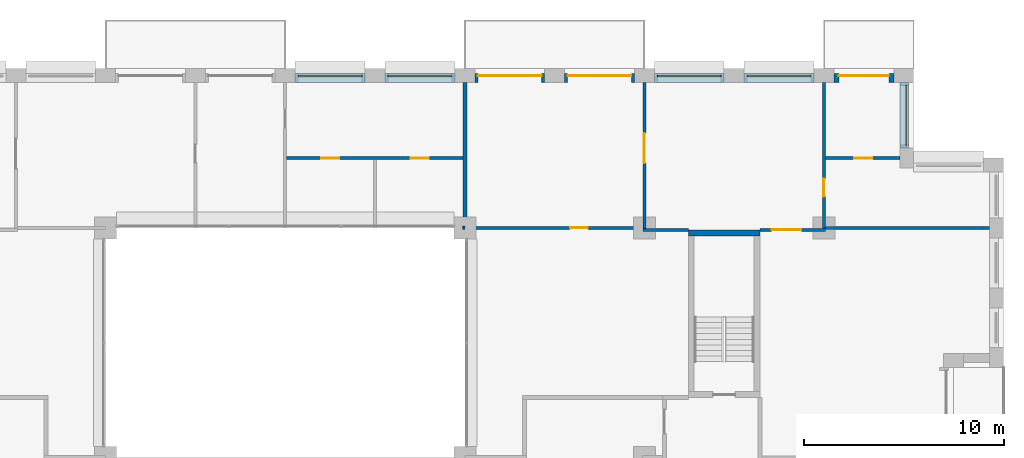
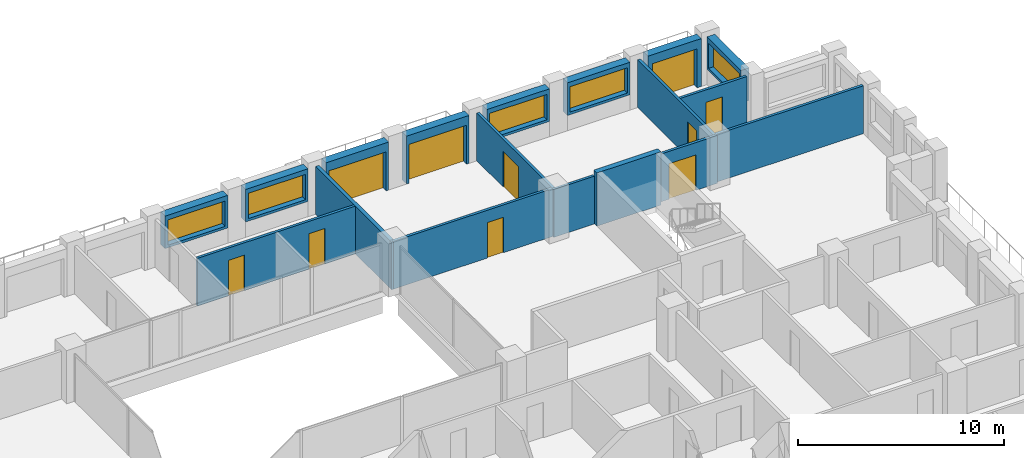
# One storey, part 13 of 15: 19 walls, 10 doors, 5 windows, 15 openings.
"""IFC4 building model written with IfcOpenShell, lengths in metres."""

from ifc_helpers import new_model, si_unit, direction, frame, frame_2d, origin, place, context, subcontext, project, spatial, rectangle, extrude, material, layer, layer_set, type_object, element, fill, save


model = new_model("IFC4")

# Units and contexts
model_context = context("Model", 3, precision=1e-05, world=origin(), true_north=direction((0.0, 1.0)))
body_context = subcontext(model_context, "Body", "Model", "MODEL_VIEW")
ifc_project = project(units=[si_unit("LENGTHUNIT", "METRE"), si_unit("AREAUNIT", "SQUARE_METRE"), si_unit("VOLUMEUNIT", "CUBIC_METRE"), si_unit("PLANEANGLEUNIT", "RADIAN"), si_unit("MASSUNIT", "GRAM", prefix="KILO")], contexts=[model_context])

# Site, building, storey
site_placement = place(None, origin())
site = spatial("IfcSite", under=ifc_project, at=site_placement, CompositionType="ELEMENT")
building_placement = place(site_placement, origin())
building = spatial("IfcBuilding", under=site, at=building_placement, Name="Brigalow Station Residences", CompositionType="ELEMENT")
storey_placement = place(building_placement, frame((0.0, 0.0, 172.800048828125)))
storey = spatial("IfcBuildingStorey", under=building, at=storey_placement, Name="L50", CompositionType="ELEMENT", Elevation=172.800048828125)

# Wall, opening, window
ifc_material_1 = material(Name="Clay brick masonry", Category="masonry")
ifc_layer_1 = layer(ifc_material_1, 0.449951171875)
ifc_layer_set_1 = layer_set([ifc_layer_1], Name="BRICK INFILL WALL 450")
wall_type_1 = type_object("IfcWallType", Name="BRICK INFILL WALL 450", PredefinedType="SOLIDWALL", material=ifc_layer_set_1)
wall_1_placement = place(storey_placement, frame((67.02490234375, 39.5, 0.89990234375), z_axis=(0.0, 0.0, 1.0), x_axis=(0.0, 1.0, 0.0)))
wall_1 = element("IfcWall", 1, at=wall_1_placement, inside=storey, type_object=wall_type_1, Name="L50/ewall/W-L50-21", PredefinedType="SOLIDWALL", context=body_context, shape_type="SweptSolid", body=[
    extrude(rectangle(XDim=3.300048828125, YDim=0.449951171875, at=frame_2d((1.64990234375, 0.0))), origin(), (0.0, 0.0, 1.0), 1.929931640625),
])
opening_1_placement = place(wall_1_placement, frame((0.14990234375, 0.0, 0.14990234375)))
opening_1 = element("IfcOpeningElement", 2, at=opening_1_placement, cuts=wall_1, Name="Opening WT-2", PredefinedType="OPENING", context=body_context, shape_type="SweptSolid", body=[
    extrude(rectangle(XDim=3.0, YDim=1.5, at=frame_2d((1.5, 0.75))), frame((0.0, 0.23486328125, 0.0), z_axis=(0.0, -1.0, 0.0), x_axis=(1.0, 0.0, 0.0)), (0.0, 0.0, 1.0), 0.469970703125),
])
ifc_material_2 = material(Name="Anodised aluminium frame with double glazing", Category="aluminium")
window_type_1 = type_object("IfcWindowType", Name="WINDOW 3000x1500", PartitioningType="SINGLE_PANEL", PredefinedType="WINDOW", material=ifc_material_2)
window_1_placement = place(opening_1_placement, origin())
window_1 = element("IfcWindow", 3, at=window_1_placement, inside=storey, type_object=window_type_1, Name="L50/window/W-L50-21", OverallHeight=1.5, OverallWidth=3.0, PartitioningType="SINGLE_PANEL", PredefinedType="WINDOW", context=body_context, shape_type="SweptSolid", body=[
    extrude(rectangle(XDim=3.0, YDim=1.5, at=frame_2d((1.5, 0.75))), frame((0.0, -0.06494140625, 0.0), z_axis=(0.0, -1.0, 0.0), x_axis=(1.0, 0.0, 0.0)), (0.0, 0.0, 1.0), 0.06005859375),
])
fill(opening_1, window_1)

# Wall, opening, door
wall_2_placement = place(storey_placement, frame((66.5, 43.02490234375, 0.0), z_axis=(0.0, 0.0, 1.0), x_axis=(-1.0, 0.0, 0.0)))
wall_2 = element("IfcWall", 4, at=wall_2_placement, inside=storey, type_object=wall_type_1, Name="L50/ewall/W-L50-22", PredefinedType="SOLIDWALL", context=body_context, shape_type="SweptSolid", body=[
    extrude(rectangle(XDim=3.0, YDim=0.449951171875, at=frame_2d((1.5, 0.0))), origin(), (0.0, 0.0, 1.0), 2.829833984375),
])
opening_2_placement = place(wall_2_placement, frame((0.25, 0.0, 0.0)))
opening_2 = element("IfcOpeningElement", 5, at=opening_2_placement, cuts=wall_2, Name="Opening D-B2500", PredefinedType="OPENING", context=body_context, shape_type="SweptSolid", body=[
    extrude(rectangle(XDim=2.5, YDim=2.300048828125, at=frame_2d((1.25, 1.14990234375))), frame((0.0, 0.23486328125, 0.0), z_axis=(0.0, -1.0, 0.0), x_axis=(1.0, 0.0, 0.0)), (0.0, 0.0, 1.0), 0.469970703125),
])
ifc_material_3 = material(Name="Anodised aluminium frame with double glazing", Category="aluminium")
door_type_1 = type_object("IfcDoorType", Name="BALCONY SLIDING DOOR 2500x2300", OperationType="SLIDING_TO_LEFT", PredefinedType="DOOR", material=ifc_material_3)
door_1_placement = place(opening_2_placement, origin())
door_1 = element("IfcDoor", 6, at=door_1_placement, inside=storey, type_object=door_type_1, Name="L50/balcony-door/W-L50-22", OperationType="SLIDING_TO_LEFT", OverallHeight=2.300048828125, OverallWidth=2.5, PredefinedType="DOOR", context=body_context, shape_type="SweptSolid", body=[
    extrude(rectangle(XDim=2.5, YDim=2.300048828125, at=frame_2d((1.25, 1.14990234375))), frame((0.0, -0.06982421875, 0.0), z_axis=(0.0, -1.0, 0.0), x_axis=(1.0, 0.0, 0.0)), (0.0, 0.0, 1.0), 0.050048828125),
])
fill(opening_2, door_1)

# Wall, opening, window
wall_3_placement = place(storey_placement, frame((62.5, 43.02490234375, 0.89990234375), z_axis=(0.0, 0.0, 1.0), x_axis=(-1.0, 0.0, 0.0)))
wall_3 = element("IfcWall", 7, at=wall_3_placement, inside=storey, type_object=wall_type_1, Name="L50/ewall/W-L50-23", PredefinedType="SOLIDWALL", context=body_context, shape_type="SweptSolid", body=[
    extrude(rectangle(XDim=3.5, YDim=0.449951171875, at=frame_2d((1.75, 0.0))), origin(), (0.0, 0.0, 1.0), 1.929931640625),
])
opening_3_placement = place(wall_3_placement, frame((0.14990234375, 0.0, 0.14990234375)))
opening_3 = element("IfcOpeningElement", 8, at=opening_3_placement, cuts=wall_3, Name="Opening WT-9", PredefinedType="OPENING", context=body_context, shape_type="SweptSolid", body=[
    extrude(rectangle(XDim=3.199951171875, YDim=1.5, at=frame_2d((1.60009765625, 0.75))), frame((0.0, 0.23486328125, 0.0), z_axis=(0.0, -1.0, 0.0), x_axis=(1.0, 0.0, 0.0)), (0.0, 0.0, 1.0), 0.469970703125),
])
ifc_material_4 = material(Name="Anodised aluminium frame with double glazing", Category="aluminium")
window_type_2 = type_object("IfcWindowType", Name="WINDOW 3200x1500", PartitioningType="SINGLE_PANEL", PredefinedType="WINDOW", material=ifc_material_4)
window_2_placement = place(opening_3_placement, origin())
window_2 = element("IfcWindow", 9, at=window_2_placement, inside=storey, type_object=window_type_2, Name="L50/window/W-L50-23", OverallHeight=1.5, OverallWidth=3.199951171875, PartitioningType="SINGLE_PANEL", PredefinedType="WINDOW", context=body_context, shape_type="SweptSolid", body=[
    extrude(rectangle(XDim=3.199951171875, YDim=1.5, at=frame_2d((1.60009765625, 0.75))), frame((0.0, -0.06494140625, 0.0), z_axis=(0.0, -1.0, 0.0), x_axis=(1.0, 0.0, 0.0)), (0.0, 0.0, 1.0), 0.06005859375),
])
fill(opening_3, window_2)

wall_4_placement = place(storey_placement, frame((58.0, 43.02490234375, 0.89990234375), z_axis=(0.0, 0.0, 1.0), x_axis=(-1.0, 0.0, 0.0)))
wall_4 = element("IfcWall", 10, at=wall_4_placement, inside=storey, type_object=wall_type_1, Name="L50/ewall/W-L50-24", PredefinedType="SOLIDWALL", context=body_context, shape_type="SweptSolid", body=[
    extrude(rectangle(XDim=3.5, YDim=0.449951171875, at=frame_2d((1.75, 0.0))), origin(), (0.0, 0.0, 1.0), 1.929931640625),
])
opening_4_placement = place(wall_4_placement, frame((0.14990234375, 0.0, 0.14990234375)))
opening_4 = element("IfcOpeningElement", 11, at=opening_4_placement, cuts=wall_4, Name="Opening WT-9", PredefinedType="OPENING", context=body_context, shape_type="SweptSolid", body=[
    extrude(rectangle(XDim=3.199951171875, YDim=1.5, at=frame_2d((1.60009765625, 0.75))), frame((0.0, 0.23486328125, 0.0), z_axis=(0.0, -1.0, 0.0), x_axis=(1.0, 0.0, 0.0)), (0.0, 0.0, 1.0), 0.469970703125),
])
window_3_placement = place(opening_4_placement, origin())
window_3 = element("IfcWindow", 12, at=window_3_placement, inside=storey, type_object=window_type_2, Name="L50/window/W-L50-24", OverallHeight=1.5, OverallWidth=3.199951171875, PartitioningType="SINGLE_PANEL", PredefinedType="WINDOW", context=body_context, shape_type="SweptSolid", body=[
    extrude(rectangle(XDim=3.199951171875, YDim=1.5, at=frame_2d((1.60009765625, 0.75))), frame((0.0, -0.06494140625, 0.0), z_axis=(0.0, -1.0, 0.0), x_axis=(1.0, 0.0, 0.0)), (0.0, 0.0, 1.0), 0.06005859375),
])
fill(opening_4, window_3)

# Wall, opening, door
wall_5_placement = place(storey_placement, frame((53.5, 43.02490234375, 0.0), z_axis=(0.0, 0.0, 1.0), x_axis=(-1.0, 0.0, 0.0)))
wall_5 = element("IfcWall", 13, at=wall_5_placement, inside=storey, type_object=wall_type_1, Name="L50/ewall/W-L50-25", PredefinedType="SOLIDWALL", context=body_context, shape_type="SweptSolid", body=[
    extrude(rectangle(XDim=3.5, YDim=0.449951171875, at=frame_2d((1.75, 0.0))), origin(), (0.0, 0.0, 1.0), 2.829833984375),
])
opening_5_placement = place(wall_5_placement, frame((0.14990234375, 0.0, 0.0)))
opening_5 = element("IfcOpeningElement", 14, at=opening_5_placement, cuts=wall_5, Name="Opening D-B3200", PredefinedType="OPENING", context=body_context, shape_type="SweptSolid", body=[
    extrude(rectangle(XDim=3.199951171875, YDim=2.300048828125, at=frame_2d((1.60009765625, 1.14990234375))), frame((0.0, 0.23486328125, 0.0), z_axis=(0.0, -1.0, 0.0), x_axis=(1.0, 0.0, 0.0)), (0.0, 0.0, 1.0), 0.469970703125),
])
ifc_material_5 = material(Name="Anodised aluminium frame with double glazing", Category="aluminium")
door_type_2 = type_object("IfcDoorType", Name="BALCONY SLIDING DOOR 3200x2300", OperationType="SLIDING_TO_LEFT", PredefinedType="DOOR", material=ifc_material_5)
door_2_placement = place(opening_5_placement, origin())
door_2 = element("IfcDoor", 15, at=door_2_placement, inside=storey, type_object=door_type_2, Name="L50/balcony-door/W-L50-25", OperationType="SLIDING_TO_LEFT", OverallHeight=2.300048828125, OverallWidth=3.199951171875, PredefinedType="DOOR", context=body_context, shape_type="SweptSolid", body=[
    extrude(rectangle(XDim=3.199951171875, YDim=2.300048828125, at=frame_2d((1.60009765625, 1.14990234375))), frame((0.0, -0.06982421875, 0.0), z_axis=(0.0, -1.0, 0.0), x_axis=(1.0, 0.0, 0.0)), (0.0, 0.0, 1.0), 0.050048828125),
])
fill(opening_5, door_2)

wall_6_placement = place(storey_placement, frame((49.0, 43.02490234375, 0.0), z_axis=(0.0, 0.0, 1.0), x_axis=(-1.0, 0.0, 0.0)))
wall_6 = element("IfcWall", 16, at=wall_6_placement, inside=storey, type_object=wall_type_1, Name="L50/ewall/W-L50-26", PredefinedType="SOLIDWALL", context=body_context, shape_type="SweptSolid", body=[
    extrude(rectangle(XDim=3.5, YDim=0.449951171875, at=frame_2d((1.75, 0.0))), origin(), (0.0, 0.0, 1.0), 2.829833984375),
])
opening_6_placement = place(wall_6_placement, frame((0.14990234375, 0.0, 0.0)))
opening_6 = element("IfcOpeningElement", 17, at=opening_6_placement, cuts=wall_6, Name="Opening D-B3200", PredefinedType="OPENING", context=body_context, shape_type="SweptSolid", body=[
    extrude(rectangle(XDim=3.199951171875, YDim=2.300048828125, at=frame_2d((1.60009765625, 1.14990234375))), frame((0.0, 0.23486328125, 0.0), z_axis=(0.0, -1.0, 0.0), x_axis=(1.0, 0.0, 0.0)), (0.0, 0.0, 1.0), 0.469970703125),
])
door_3_placement = place(opening_6_placement, origin())
door_3 = element("IfcDoor", 18, at=door_3_placement, inside=storey, type_object=door_type_2, Name="L50/balcony-door/W-L50-26", OperationType="SLIDING_TO_LEFT", OverallHeight=2.300048828125, OverallWidth=3.199951171875, PredefinedType="DOOR", context=body_context, shape_type="SweptSolid", body=[
    extrude(rectangle(XDim=3.199951171875, YDim=2.300048828125, at=frame_2d((1.60009765625, 1.14990234375))), frame((0.0, -0.06982421875, 0.0), z_axis=(0.0, -1.0, 0.0), x_axis=(1.0, 0.0, 0.0)), (0.0, 0.0, 1.0), 0.050048828125),
])
fill(opening_6, door_3)

# Wall, opening, window
wall_7_placement = place(storey_placement, frame((44.5, 43.02490234375, 0.89990234375), z_axis=(0.0, 0.0, 1.0), x_axis=(-1.0, 0.0, 0.0)))
wall_7 = element("IfcWall", 19, at=wall_7_placement, inside=storey, type_object=wall_type_1, Name="L50/ewall/W-L50-27", PredefinedType="SOLIDWALL", context=body_context, shape_type="SweptSolid", body=[
    extrude(rectangle(XDim=3.5, YDim=0.449951171875, at=frame_2d((1.75, 0.0))), origin(), (0.0, 0.0, 1.0), 1.929931640625),
])
opening_7_placement = place(wall_7_placement, frame((0.14990234375, 0.0, 0.14990234375)))
opening_7 = element("IfcOpeningElement", 20, at=opening_7_placement, cuts=wall_7, Name="Opening WT-9", PredefinedType="OPENING", context=body_context, shape_type="SweptSolid", body=[
    extrude(rectangle(XDim=3.199951171875, YDim=1.5, at=frame_2d((1.60009765625, 0.75))), frame((0.0, 0.23486328125, 0.0), z_axis=(0.0, -1.0, 0.0), x_axis=(1.0, 0.0, 0.0)), (0.0, 0.0, 1.0), 0.469970703125),
])
window_4_placement = place(opening_7_placement, origin())
window_4 = element("IfcWindow", 21, at=window_4_placement, inside=storey, type_object=window_type_2, Name="L50/window/W-L50-27", OverallHeight=1.5, OverallWidth=3.199951171875, PartitioningType="SINGLE_PANEL", PredefinedType="WINDOW", context=body_context, shape_type="SweptSolid", body=[
    extrude(rectangle(XDim=3.199951171875, YDim=1.5, at=frame_2d((1.60009765625, 0.75))), frame((0.0, -0.06494140625, 0.0), z_axis=(0.0, -1.0, 0.0), x_axis=(1.0, 0.0, 0.0)), (0.0, 0.0, 1.0), 0.06005859375),
])
fill(opening_7, window_4)

wall_8_placement = place(storey_placement, frame((40.0, 43.02490234375, 0.89990234375), z_axis=(0.0, 0.0, 1.0), x_axis=(-1.0, 0.0, 0.0)))
wall_8 = element("IfcWall", 22, at=wall_8_placement, inside=storey, type_object=wall_type_1, Name="L50/ewall/W-L50-28", PredefinedType="SOLIDWALL", context=body_context, shape_type="SweptSolid", body=[
    extrude(rectangle(XDim=3.5, YDim=0.449951171875, at=frame_2d((1.75, 0.0))), origin(), (0.0, 0.0, 1.0), 1.929931640625),
])
opening_8_placement = place(wall_8_placement, frame((0.14990234375, 0.0, 0.14990234375)))
opening_8 = element("IfcOpeningElement", 23, at=opening_8_placement, cuts=wall_8, Name="Opening WT-9", PredefinedType="OPENING", context=body_context, shape_type="SweptSolid", body=[
    extrude(rectangle(XDim=3.199951171875, YDim=1.5, at=frame_2d((1.60009765625, 0.75))), frame((0.0, 0.23486328125, 0.0), z_axis=(0.0, -1.0, 0.0), x_axis=(1.0, 0.0, 0.0)), (0.0, 0.0, 1.0), 0.469970703125),
])
window_5_placement = place(opening_8_placement, origin())
window_5 = element("IfcWindow", 24, at=window_5_placement, inside=storey, type_object=window_type_2, Name="L50/window/W-L50-28", OverallHeight=1.5, OverallWidth=3.199951171875, PartitioningType="SINGLE_PANEL", PredefinedType="WINDOW", context=body_context, shape_type="SweptSolid", body=[
    extrude(rectangle(XDim=3.199951171875, YDim=1.5, at=frame_2d((1.60009765625, 0.75))), frame((0.0, -0.06494140625, 0.0), z_axis=(0.0, -1.0, 0.0), x_axis=(1.0, 0.0, 0.0)), (0.0, 0.0, 1.0), 0.06005859375),
])
fill(opening_8, window_5)

# Walls
ifc_material_6 = material(Name="Concrete C65", Category="concrete")
ifc_layer_2 = layer(ifc_material_6, 0.300048828125)
ifc_layer_set_2 = layer_set([ifc_layer_2], Name="CORE SHEAR WALL 300 C65")
wall_type_2 = type_object("IfcWallType", Name="CORE SHEAR WALL 300 C65", PredefinedType="SHEAR", material=ifc_layer_set_2)
wall_9_placement = place(storey_placement, frame((56.199951171875, 35.25, 0.0), z_axis=(0.0, 0.0, 1.0), x_axis=(1.0, 0.0, 0.0)))
element("IfcWall", 25, at=wall_9_placement, inside=storey, type_object=wall_type_2, Name="CORE WALL ST-S3-N L50", PredefinedType="SHEAR", context=body_context, shape_type="SweptSolid", body=[
    extrude(rectangle(XDim=3.60009765625, YDim=0.300048828125, at=frame_2d((1.800048828125, 0.0))), origin(), (0.0, 0.0, 1.0), 3.14990234375),
])
ifc_material_7 = material(Name="Plasterboard on steel stud partition", Category="steel")
ifc_layer_3 = layer(ifc_material_7, 0.14990234375)
ifc_layer_set_3 = layer_set([ifc_layer_3], Name="FLAT PARTITION 150")
wall_type_3 = type_object("IfcWallType", Name="FLAT PARTITION 150", PredefinedType="PARTITIONING", material=ifc_layer_set_3)
wall_10_placement = place(storey_placement, frame((53.925048828125, 35.39990234375, 0.0), z_axis=(0.0, 0.0, 1.0), x_axis=(1.0, 0.0, 0.0)))
element("IfcWall", 26, at=wall_10_placement, inside=storey, type_object=wall_type_3, Name="PW-3E19", PredefinedType="PARTITIONING", context=body_context, shape_type="SweptSolid", body=[
    extrude(rectangle(XDim=2.27490234375, YDim=0.14990234375, at=frame_2d((1.137451171875, 0.0))), origin(), (0.0, 0.0, 1.0), 2.829833984375),
])

# Wall, opening, door
wall_11_placement = place(storey_placement, frame((59.800048828125, 35.39990234375, 0.0), z_axis=(0.0, 0.0, 1.0), x_axis=(1.0, 0.0, 0.0)))
wall_11 = element("IfcWall", 27, at=wall_11_placement, inside=storey, type_object=wall_type_3, Name="PW-3E20", PredefinedType="PARTITIONING", context=body_context, shape_type="SweptSolid", body=[
    extrude(rectangle(XDim=3.27490234375, YDim=0.14990234375, at=frame_2d((1.637451171875, 0.0))), origin(), (0.0, 0.0, 1.0), 2.829833984375),
])
opening_9_placement = place(wall_11_placement, frame((0.574951171875, 0.0, 0.0)))
opening_9 = element("IfcOpeningElement", 28, at=opening_9_placement, cuts=wall_11, Name="Opening D-3E30", PredefinedType="OPENING", context=body_context, shape_type="SweptSolid", body=[
    extrude(rectangle(XDim=1.5, YDim=2.10009765625, at=frame_2d((0.75, 1.050048828125))), frame((0.0, 0.0849609375, 0.0), z_axis=(0.0, -1.0, 0.0), x_axis=(1.0, 0.0, 0.0)), (0.0, 0.0, 1.0), 0.169921875),
])
ifc_material_8 = material(Name="Solid-core timber door leaf", Category="wood")
door_type_3 = type_object("IfcDoorType", Name="INTERNAL DOUBLE DOOR 1500 x 2100", OperationType="DOUBLE_DOOR_SINGLE_SWING", PredefinedType="DOOR", material=ifc_material_8)
door_4_placement = place(opening_9_placement, origin())
door_4 = element("IfcDoor", 29, at=door_4_placement, inside=storey, type_object=door_type_3, Name="D-3E30", OperationType="DOUBLE_DOOR_SINGLE_SWING", OverallHeight=2.10009765625, OverallWidth=1.5, PredefinedType="DOOR", context=body_context, shape_type="SweptSolid", body=[
    extrude(rectangle(XDim=1.5, YDim=2.10009765625, at=frame_2d((0.75, 1.050048828125))), frame((0.0, 0.02490234375, 0.0), z_axis=(0.0, -1.0, 0.0), x_axis=(1.0, 0.0, 0.0)), (0.0, 0.0, 1.0), 0.050048828125),
])
fill(opening_9, door_4)

# Wall
wall_12_placement = place(storey_placement, frame((44.89990234375, 35.5, 0.0), z_axis=(0.0, 0.0, 1.0), x_axis=(1.0, 0.0, 0.0)))
element("IfcWall", 30, at=wall_12_placement, inside=storey, type_object=wall_type_3, Name="PW-3E22", PredefinedType="PARTITIONING", context=body_context, shape_type="SweptSolid", body=[
    extrude(rectangle(XDim=0.10009765625, YDim=0.14990234375, at=frame_2d((0.050048828125, 0.0))), origin(), (0.0, 0.0, 1.0), 2.829833984375),
])

# Wall, opening, door
wall_13_placement = place(storey_placement, frame((45.0, 35.5, 0.0), z_axis=(0.0, 0.0, 1.0), x_axis=(1.0, 0.0, 0.0)))
wall_13 = element("IfcWall", 31, at=wall_13_placement, inside=storey, type_object=wall_type_3, Name="PW-3E23", PredefinedType="PARTITIONING", context=body_context, shape_type="SweptSolid", body=[
    extrude(rectangle(XDim=8.925048828125, YDim=0.14990234375, at=frame_2d((4.46240234375, 0.0))), origin(), (0.0, 0.0, 1.0), 2.829833984375),
])
opening_10_placement = place(wall_13_placement, frame((5.27490234375, 0.0, 0.0)))
opening_10 = element("IfcOpeningElement", 32, at=opening_10_placement, cuts=wall_13, Name="Opening D-3E32", PredefinedType="OPENING", context=body_context, shape_type="SweptSolid", body=[
    extrude(rectangle(XDim=0.89990234375, YDim=2.10009765625, at=frame_2d((0.449951171875, 1.050048828125))), frame((0.0, 0.0849609375, 0.0), z_axis=(0.0, -1.0, 0.0), x_axis=(1.0, 0.0, 0.0)), (0.0, 0.0, 1.0), 0.169921875),
])
ifc_material_9 = material(Name="Solid-core timber door leaf", Category="wood")
door_type_4 = type_object("IfcDoorType", Name="INTERNAL DOOR 900 x 2100", OperationType="SINGLE_SWING_LEFT", PredefinedType="DOOR", material=ifc_material_9)
door_5_placement = place(opening_10_placement, frame((0.89990234375, 0.0, 0.0), z_axis=(0.0, 0.0, 1.0), x_axis=(-1.0, 0.0, 0.0)))
door_5 = element("IfcDoor", 33, at=door_5_placement, inside=storey, type_object=door_type_4, Name="D-3E32", OperationType="SINGLE_SWING_LEFT", OverallHeight=2.10009765625, OverallWidth=0.89990234375, PredefinedType="DOOR", context=body_context, shape_type="SweptSolid", body=[
    extrude(rectangle(XDim=0.89990234375, YDim=2.10009765625, at=frame_2d((0.449951171875, 1.050048828125))), frame((0.0, 0.02490234375, 0.0), z_axis=(0.0, -1.0, 0.0), x_axis=(1.0, 0.0, 0.0)), (0.0, 0.0, 1.0), 0.050048828125),
])
fill(opening_10, door_5)

# Wall
wall_14_placement = place(storey_placement, frame((63.074951171875, 35.5, 0.0), z_axis=(0.0, 0.0, 1.0), x_axis=(1.0, 0.0, 0.0)))
element("IfcWall", 34, at=wall_14_placement, inside=storey, type_object=wall_type_3, Name="PW-3E24", PredefinedType="PARTITIONING", context=body_context, shape_type="SweptSolid", body=[
    extrude(rectangle(XDim=8.22509765625, YDim=0.14990234375, at=frame_2d((4.112548828125, 0.0))), origin(), (0.0, 0.0, 1.0), 2.829833984375),
])

# Wall, openings, doors
wall_15_placement = place(storey_placement, frame((36.074951171875, 39.0, 0.0), z_axis=(0.0, 0.0, 1.0), x_axis=(1.0, 0.0, 0.0)))
wall_15 = element("IfcWall", 35, at=wall_15_placement, inside=storey, type_object=wall_type_3, Name="PW-3E25", PredefinedType="PARTITIONING", context=body_context, shape_type="SweptSolid", body=[
    extrude(rectangle(XDim=8.824951171875, YDim=0.14990234375, at=frame_2d((4.41259765625, 0.0))), origin(), (0.0, 0.0, 1.0), 2.829833984375),
])
opening_11_placement = place(wall_15_placement, frame((1.72509765625, 0.0, 0.0)))
opening_11 = element("IfcOpeningElement", 36, at=opening_11_placement, cuts=wall_15, Name="Opening D-3E16", PredefinedType="OPENING", context=body_context, shape_type="SweptSolid", body=[
    extrude(rectangle(XDim=0.89990234375, YDim=2.10009765625, at=frame_2d((0.449951171875, 1.050048828125))), frame((0.0, 0.0849609375, 0.0), z_axis=(0.0, -1.0, 0.0), x_axis=(1.0, 0.0, 0.0)), (0.0, 0.0, 1.0), 0.169921875),
])
opening_12_placement = place(wall_15_placement, frame((6.22509765625, 0.0, 0.0)))
opening_12 = element("IfcOpeningElement", 37, at=opening_12_placement, cuts=wall_15, Name="Opening D-3E17", PredefinedType="OPENING", context=body_context, shape_type="SweptSolid", body=[
    extrude(rectangle(XDim=0.89990234375, YDim=2.10009765625, at=frame_2d((0.449951171875, 1.050048828125))), frame((0.0, 0.0849609375, 0.0), z_axis=(0.0, -1.0, 0.0), x_axis=(1.0, 0.0, 0.0)), (0.0, 0.0, 1.0), 0.169921875),
])
door_6_placement = place(opening_11_placement, frame((0.89990234375, 0.0, 0.0), z_axis=(0.0, 0.0, 1.0), x_axis=(-1.0, 0.0, 0.0)))
door_6 = element("IfcDoor", 38, at=door_6_placement, inside=storey, type_object=door_type_4, Name="D-3E16", OperationType="SINGLE_SWING_RIGHT", OverallHeight=2.10009765625, OverallWidth=0.89990234375, PredefinedType="DOOR", context=body_context, shape_type="SweptSolid", body=[
    extrude(rectangle(XDim=0.89990234375, YDim=2.10009765625, at=frame_2d((0.449951171875, 1.050048828125))), frame((0.0, 0.02490234375, 0.0), z_axis=(0.0, -1.0, 0.0), x_axis=(1.0, 0.0, 0.0)), (0.0, 0.0, 1.0), 0.050048828125),
])
fill(opening_11, door_6)
door_7_placement = place(opening_12_placement, frame((0.89990234375, 0.0, 0.0), z_axis=(0.0, 0.0, 1.0), x_axis=(-1.0, 0.0, 0.0)))
door_7 = element("IfcDoor", 39, at=door_7_placement, inside=storey, type_object=door_type_4, Name="D-3E17", OperationType="SINGLE_SWING_LEFT", OverallHeight=2.10009765625, OverallWidth=0.89990234375, PredefinedType="DOOR", context=body_context, shape_type="SweptSolid", body=[
    extrude(rectangle(XDim=0.89990234375, YDim=2.10009765625, at=frame_2d((0.449951171875, 1.050048828125))), frame((0.0, 0.02490234375, 0.0), z_axis=(0.0, -1.0, 0.0), x_axis=(1.0, 0.0, 0.0)), (0.0, 0.0, 1.0), 0.050048828125),
])
fill(opening_12, door_7)

# Wall, opening, door
wall_16_placement = place(storey_placement, frame((63.074951171875, 39.0, 0.0), z_axis=(0.0, 0.0, 1.0), x_axis=(1.0, 0.0, 0.0)))
wall_16 = element("IfcWall", 40, at=wall_16_placement, inside=storey, type_object=wall_type_3, Name="PW-3E26", PredefinedType="PARTITIONING", context=body_context, shape_type="SweptSolid", body=[
    extrude(rectangle(XDim=3.72509765625, YDim=0.14990234375, at=frame_2d((1.862548828125, 0.0))), origin(), (0.0, 0.0, 1.0), 2.829833984375),
])
opening_13_placement = place(wall_16_placement, frame((1.449951171875, 0.0, 0.0)))
opening_13 = element("IfcOpeningElement", 41, at=opening_13_placement, cuts=wall_16, Name="Opening D-3E34", PredefinedType="OPENING", context=body_context, shape_type="SweptSolid", body=[
    extrude(rectangle(XDim=0.89990234375, YDim=2.10009765625, at=frame_2d((0.449951171875, 1.050048828125))), frame((0.0, 0.0849609375, 0.0), z_axis=(0.0, -1.0, 0.0), x_axis=(1.0, 0.0, 0.0)), (0.0, 0.0, 1.0), 0.169921875),
])
door_8_placement = place(opening_13_placement, origin())
door_8 = element("IfcDoor", 42, at=door_8_placement, inside=storey, type_object=door_type_4, Name="D-3E34", OperationType="SINGLE_SWING_RIGHT", OverallHeight=2.10009765625, OverallWidth=0.89990234375, PredefinedType="DOOR", context=body_context, shape_type="SweptSolid", body=[
    extrude(rectangle(XDim=0.89990234375, YDim=2.10009765625, at=frame_2d((0.449951171875, 1.050048828125))), frame((0.0, 0.02490234375, 0.0), z_axis=(0.0, -1.0, 0.0), x_axis=(1.0, 0.0, 0.0)), (0.0, 0.0, 1.0), 0.050048828125),
])
fill(opening_13, door_8)

wall_17_placement = place(storey_placement, frame((54.0, 35.47509765625, 0.0), z_axis=(0.0, 0.0, 1.0), x_axis=(0.0, 1.0, 0.0)))
wall_17 = element("IfcWall", 43, at=wall_17_placement, inside=storey, type_object=wall_type_3, Name="PW-3E29", PredefinedType="PARTITIONING", context=body_context, shape_type="SweptSolid", body=[
    extrude(rectangle(XDim=7.324951171875, YDim=0.14990234375, at=frame_2d((3.66259765625, 0.0))), origin(), (0.0, 0.0, 1.0), 2.829833984375),
])
opening_14_placement = place(wall_17_placement, frame((3.27490234375, 0.0, 0.0)))
opening_14 = element("IfcOpeningElement", 44, at=opening_14_placement, cuts=wall_17, Name="Opening D-3E31", PredefinedType="OPENING", context=body_context, shape_type="SweptSolid", body=[
    extrude(rectangle(XDim=1.5, YDim=2.10009765625, at=frame_2d((0.75, 1.050048828125))), frame((0.0, 0.0849609375, 0.0), z_axis=(0.0, -1.0, 0.0), x_axis=(1.0, 0.0, 0.0)), (0.0, 0.0, 1.0), 0.169921875),
])
door_9_placement = place(opening_14_placement, origin())
door_9 = element("IfcDoor", 45, at=door_9_placement, inside=storey, type_object=door_type_3, Name="D-3E31", OperationType="DOUBLE_DOOR_SINGLE_SWING", OverallHeight=2.10009765625, OverallWidth=1.5, PredefinedType="DOOR", context=body_context, shape_type="SweptSolid", body=[
    extrude(rectangle(XDim=1.5, YDim=2.10009765625, at=frame_2d((0.75, 1.050048828125))), frame((0.0, 0.02490234375, 0.0), z_axis=(0.0, -1.0, 0.0), x_axis=(1.0, 0.0, 0.0)), (0.0, 0.0, 1.0), 0.050048828125),
])
fill(opening_14, door_9)

wall_18_placement = place(storey_placement, frame((63.0, 35.47509765625, 0.0), z_axis=(0.0, 0.0, 1.0), x_axis=(0.0, 1.0, 0.0)))
wall_18 = element("IfcWall", 46, at=wall_18_placement, inside=storey, type_object=wall_type_3, Name="PW-3E49", PredefinedType="PARTITIONING", context=body_context, shape_type="SweptSolid", body=[
    extrude(rectangle(XDim=7.324951171875, YDim=0.14990234375, at=frame_2d((3.66259765625, 0.0))), origin(), (0.0, 0.0, 1.0), 2.829833984375),
])
opening_15_placement = place(wall_18_placement, frame((1.60009765625, 0.0, 0.0)))
opening_15 = element("IfcOpeningElement", 47, at=opening_15_placement, cuts=wall_18, Name="Opening D-3E33", PredefinedType="OPENING", context=body_context, shape_type="SweptSolid", body=[
    extrude(rectangle(XDim=0.89990234375, YDim=2.10009765625, at=frame_2d((0.449951171875, 1.050048828125))), frame((0.0, 0.0849609375, 0.0), z_axis=(0.0, -1.0, 0.0), x_axis=(1.0, 0.0, 0.0)), (0.0, 0.0, 1.0), 0.169921875),
])
door_10_placement = place(opening_15_placement, frame((0.89990234375, 0.0, 0.0), z_axis=(0.0, 0.0, 1.0), x_axis=(-1.0, 0.0, 0.0)))
door_10 = element("IfcDoor", 48, at=door_10_placement, inside=storey, type_object=door_type_4, Name="D-3E33", OperationType="SINGLE_SWING_LEFT", OverallHeight=2.10009765625, OverallWidth=0.89990234375, PredefinedType="DOOR", context=body_context, shape_type="SweptSolid", body=[
    extrude(rectangle(XDim=0.89990234375, YDim=2.10009765625, at=frame_2d((0.449951171875, 1.050048828125))), frame((0.0, 0.02490234375, 0.0), z_axis=(0.0, -1.0, 0.0), x_axis=(1.0, 0.0, 0.0)), (0.0, 0.0, 1.0), 0.050048828125),
])
fill(opening_15, door_10)

# Wall
ifc_material_10 = material(Name="Plasterboard on steel stud partition", Category="steel")
ifc_layer_4 = layer(ifc_material_10, 0.199951171875)
ifc_layer_set_4 = layer_set([ifc_layer_4], Name="PARTY AND CORRIDOR WALL 200")
wall_type_4 = type_object("IfcWallType", Name="PARTY AND CORRIDOR WALL 200", PredefinedType="PARTITIONING", material=ifc_layer_set_4)
wall_19_placement = place(storey_placement, frame((45.0, 35.574951171875, 0.0), z_axis=(0.0, 0.0, 1.0), x_axis=(0.0, 1.0, 0.0)))
element("IfcWall", 49, at=wall_19_placement, inside=storey, type_object=wall_type_4, Name="PW-3E42", PredefinedType="PARTITIONING", context=body_context, shape_type="SweptSolid", body=[
    extrude(rectangle(XDim=7.22509765625, YDim=0.199951171875, at=frame_2d((3.612548828125, 0.0))), origin(), (0.0, 0.0, 1.0), 2.829833984375),
])

save(model, "model.ifc")
